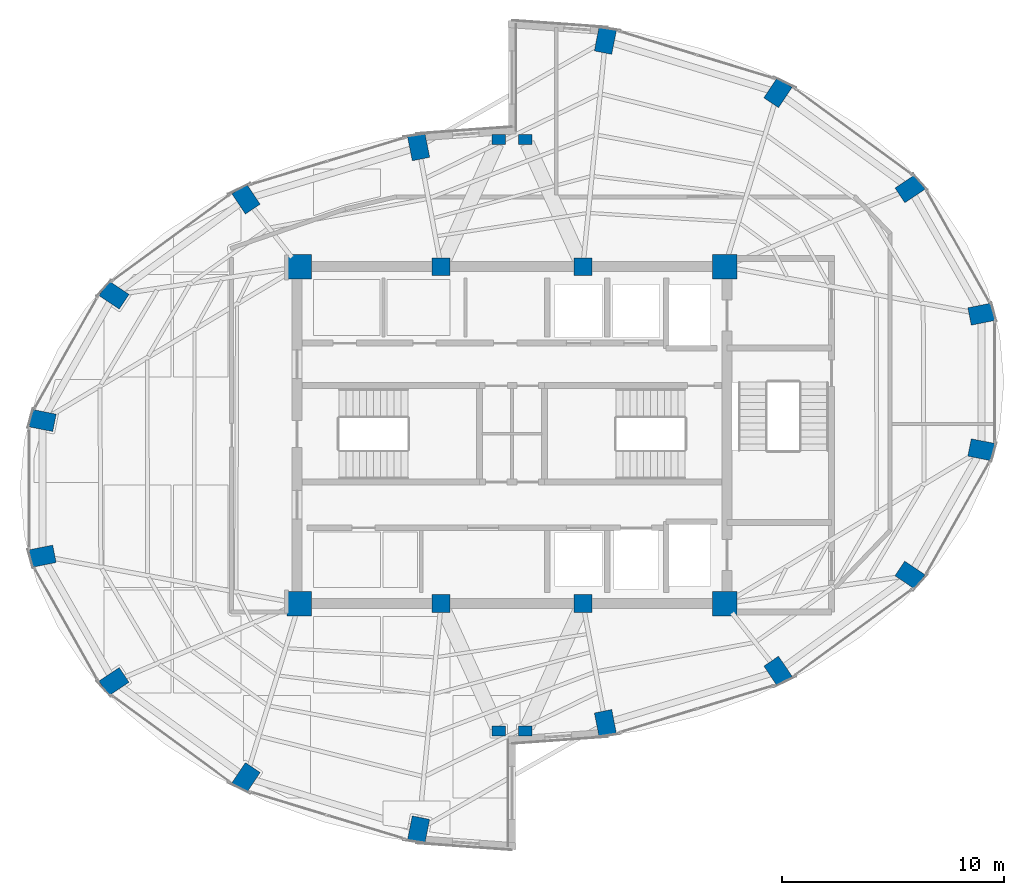
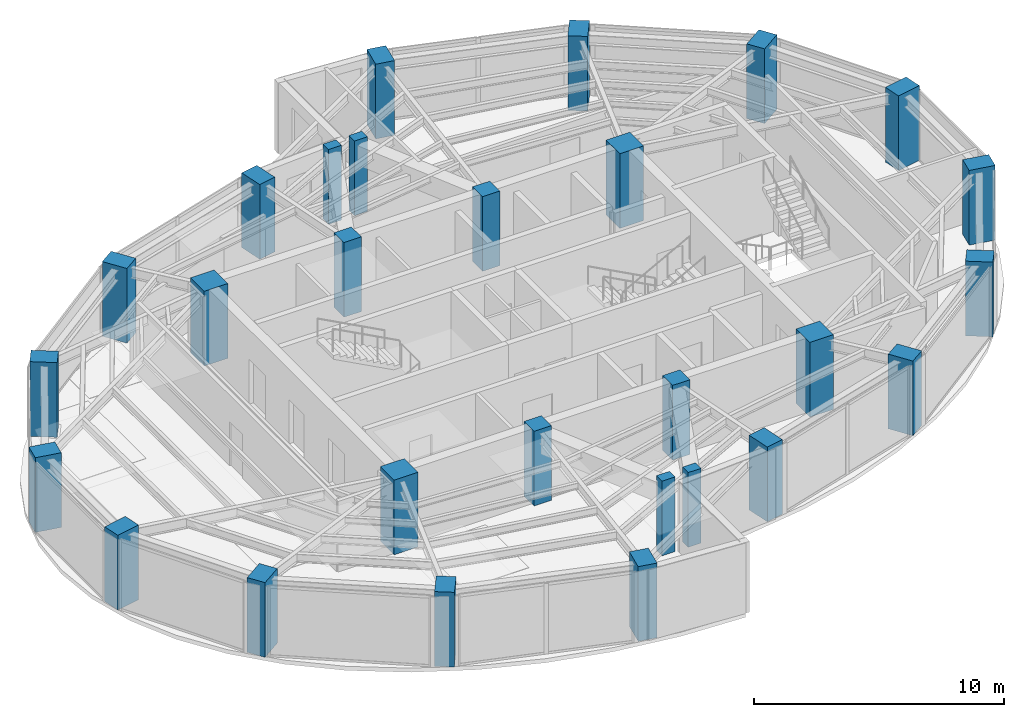
# One storey, part 1 of 22: 28 columns.
"""IFC4 building model written with IfcOpenShell, lengths in metres."""

from ifc_helpers import new_model, si_unit, direction, frame, origin, origin_2d, place, context, subcontext, project, spatial, rectangle, extrude, material, material_profile, profile_set, type_object, element, save


model = new_model("IFC4")

# Units and contexts
model_context = context("Model", 3, precision=1e-05, world=origin(), true_north=direction((0.0, 1.0)))
body_context = subcontext(model_context, "Body", "Model", "MODEL_VIEW")
ifc_project = project(units=[si_unit("LENGTHUNIT", "METRE"), si_unit("AREAUNIT", "SQUARE_METRE"), si_unit("VOLUMEUNIT", "CUBIC_METRE"), si_unit("PLANEANGLEUNIT", "RADIAN"), si_unit("MASSUNIT", "GRAM", prefix="KILO")], contexts=[model_context])

# Site, building, storey
site_placement = place(None, origin())
site = spatial("IfcSite", under=ifc_project, at=site_placement, CompositionType="ELEMENT")
building_placement = place(site_placement, origin())
building = spatial("IfcBuilding", under=site, at=building_placement, Name="Lazwardi Medical Tower", CompositionType="ELEMENT")
storey_placement = place(building_placement, frame((0.0, 0.0, 258.672119140625)))
storey = spatial("IfcBuildingStorey", under=building, at=storey_placement, Name="L67", CompositionType="ELEMENT", Elevation=258.672119140625)

# Columns
ifc_material_1 = material(Name="Concrete C80/95", Category="concrete")
ifc_material_profile_1 = material_profile(ifc_material_1, rectangle(XDim=1.10009765625, YDim=1.10009765625, at=origin_2d()), Name="RC 1100x1100")
ifc_profile_set_1 = profile_set([ifc_material_profile_1], Name="Concrete C80/95")
column_type_1 = type_object("IfcColumnType", Name="COL-CC-L", PredefinedType="COLUMN", material=ifc_profile_set_1)
for number, where, z_axis, x_axis, name in (
    (1, (26.39990234375, 20.39990234375, 0.0), (0.0, 0.0, 1.0), (1.0, 0.0, 0.0), "Core column CC-01 CC1 L67"),
    (2, (45.60009765625, 20.39990234375, 0.0), (0.0, 0.0, 1.0), (1.0, 0.0, 0.0), "Core column CC-01 CC4 L67"),
    (3, (45.60009765625, 35.60009765625, 0.0), (0.0, 0.0, 1.0), (1.0, 0.0, 0.0), "Core column CC-01 CC5 L67"),
    (4, (26.39990234375, 35.60009765625, 0.0), (0.0, 0.0, 1.0), (1.0, 0.0, 0.0), "Core column CC-01 CC8 L67"),
):
    element("IfcColumn", number, at=place(storey_placement, frame(where, z_axis=z_axis, x_axis=x_axis)), inside=storey, type_object=column_type_1, Name=name, PredefinedType="COLUMN", context=body_context, shape_type="SweptSolid", body=[
        extrude(rectangle(XDim=1.10009765625, YDim=1.10009765625, at=origin_2d()), origin(), (0.0, 0.0, 1.0), 3.64794921875),
    ])
ifc_material_2 = material(Name="Concrete C60/75", Category="concrete")
ifc_material_profile_2 = material_profile(ifc_material_2, rectangle(XDim=0.800048828125, YDim=0.800048828125, at=origin_2d()), Name="RC 800x800")
ifc_profile_set_2 = profile_set([ifc_material_profile_2], Name="Concrete C60/75")
column_type_2 = type_object("IfcColumnType", Name="COL-CC-U", PredefinedType="COLUMN", material=ifc_profile_set_2)
for number, where, z_axis, x_axis, name in (
    (5, (32.800048828125, 20.39990234375, 0.0), (0.0, 0.0, 1.0), (1.0, 0.0, 0.0), "Core column CC-03 CC2 L67"),
    (6, (39.199951171875, 20.39990234375, 0.0), (0.0, 0.0, 1.0), (1.0, 0.0, 0.0), "Core column CC-03 CC3 L67"),
    (7, (39.199951171875, 35.60009765625, 0.0), (0.0, 0.0, 1.0), (1.0, 0.0, 0.0), "Core column CC-03 CC6 L67"),
    (8, (32.800048828125, 35.60009765625, 0.0), (0.0, 0.0, 1.0), (1.0, 0.0, 0.0), "Core column CC-03 CC7 L67"),
):
    element("IfcColumn", number, at=place(storey_placement, frame(where, z_axis=z_axis, x_axis=x_axis)), inside=storey, type_object=column_type_2, Name=name, PredefinedType="COLUMN", context=body_context, shape_type="SweptSolid", body=[
        extrude(rectangle(XDim=0.800048828125, YDim=0.800048828125, at=origin_2d()), origin(), (0.0, 0.0, 1.0), 3.64794921875),
    ])
ifc_material_profile_3 = material_profile(ifc_material_2, rectangle(XDim=1.10009765625, YDim=0.800048828125, at=origin_2d()), Name="CFT-RECT 1100x800")
ifc_profile_set_3 = profile_set([ifc_material_profile_3], Name="Concrete C60/75")
column_type_3 = type_object("IfcColumnType", Name="COL-MC-Z4", PredefinedType="COLUMN", material=ifc_profile_set_3)
for number, where, z_axis, x_axis, name in (
    (9, (40.214111328125, 15.001708984375, 0.0), (0.0, 0.0, 1.0), (0.195090322016, -0.980785280403, 0.0), "Mega column MC-06 M01 L67"),
    (10, (48.000244140625, 17.345947265625, 0.0), (0.0, 0.0, 1.0), (0.55557023302, -0.831469612303, 0.0), "Mega column MC-06 M02 L67"),
    (11, (53.959716796875, 21.677490234375, 0.0), (0.0, 0.0, 1.0), (0.831469612303, -0.55557023302, 0.0), "Mega column MC-06 M03 L67"),
    (12, (57.18505859375, 27.337158203125, 0.0), (0.0, 0.0, 1.0), (0.980785280403, -0.195090322016, 0.0), "Mega column MC-06 M04 L67"),
    (13, (57.18505859375, 33.462890625, 0.0), (0.0, 0.0, 1.0), (0.980785280403, 0.195090322016, 0.0), "Mega column MC-06 M05 L67"),
    (14, (53.959716796875, 39.12255859375, 0.0), (0.0, 0.0, 1.0), (0.831469612303, 0.55557023302, 0.0), "Mega column MC-06 M06 L67"),
    (15, (48.000244140625, 43.4541015625, 0.0), (0.0, 0.0, 1.0), (0.55557023302, 0.831469612303, 0.0), "Mega column MC-06 M07 L67"),
    (16, (40.214111328125, 45.79833984375, 0.0), (0.0, 0.0, 1.0), (0.195090322016, 0.980785280403, 0.0), "Mega column MC-06 M08 L67"),
    (17, (31.785888671875, 40.998291015625, 0.0), (0.0, 0.0, 1.0), (-0.195090322016, 0.980785280403, 0.0), "Mega column MC-06 M09 L67"),
    (18, (23.999755859375, 38.654052734375, 0.0), (0.0, 0.0, 1.0), (-0.55557023302, 0.831469612303, 0.0), "Mega column MC-06 M10 L67"),
    (19, (18.040283203125, 34.322509765625, 0.0), (0.0, 0.0, 1.0), (-0.831469612303, 0.55557023302, 0.0), "Mega column MC-06 M11 L67"),
    (20, (14.81494140625, 28.662841796875, 0.0), (0.0, 0.0, 1.0), (-0.980785280403, 0.195090322016, 0.0), "Mega column MC-06 M12 L67"),
    (21, (14.81494140625, 22.537109375, 0.0), (0.0, 0.0, 1.0), (-0.980785280403, -0.195090322016, 0.0), "Mega column MC-06 M13 L67"),
    (22, (18.040283203125, 16.87744140625, 0.0), (0.0, 0.0, 1.0), (-0.831469612303, -0.55557023302, 0.0), "Mega column MC-06 M14 L67"),
    (23, (23.999755859375, 12.5458984375, 0.0), (0.0, 0.0, 1.0), (-0.55557023302, -0.831469612303, 0.0), "Mega column MC-06 M15 L67"),
    (24, (31.785888671875, 10.20166015625, 0.0), (0.0, 0.0, 1.0), (-0.195090322016, -0.980785280403, 0.0), "Mega column MC-06 M16 L67"),
):
    element("IfcColumn", number, at=place(storey_placement, frame(where, z_axis=z_axis, x_axis=x_axis)), inside=storey, type_object=column_type_3, Name=name, PredefinedType="COLUMN", context=body_context, shape_type="SweptSolid", body=[
        extrude(rectangle(XDim=1.10009765625, YDim=0.800048828125, at=origin_2d()), origin(), (0.0, 0.0, 1.0), 3.64794921875),
    ])
ifc_material_profile_4 = material_profile(ifc_material_2, rectangle(XDim=0.60009765625, YDim=0.449951171875, at=origin_2d()), Name="RC 600x450")
ifc_profile_set_4 = profile_set([ifc_material_profile_4], Name="Concrete C60/75")
column_type_4 = type_object("IfcColumnType", Name="COL-PL-IW", PredefinedType="PILASTER", material=ifc_profile_set_4)
for number, where, z_axis, x_axis, name in (
    (25, (35.39990234375, 41.35009765625, 0.0), (0.0, 0.0, 1.0), (1.0, 0.0, 0.0), "Iwan pilaster column PL-C1 PL1 L67"),
    (26, (36.60009765625, 41.35009765625, 0.0), (0.0, 0.0, 1.0), (1.0, 0.0, 0.0), "Iwan pilaster column PL-C1 PL2 L67"),
    (27, (35.39990234375, 14.64990234375, 0.0), (0.0, 0.0, 1.0), (1.0, 0.0, 0.0), "Iwan pilaster column PL-C1 PL3 L67"),
    (28, (36.60009765625, 14.64990234375, 0.0), (0.0, 0.0, 1.0), (1.0, 0.0, 0.0), "Iwan pilaster column PL-C1 PL4 L67"),
):
    element("IfcColumn", number, at=place(storey_placement, frame(where, z_axis=z_axis, x_axis=x_axis)), inside=storey, type_object=column_type_4, Name=name, PredefinedType="PILASTER", context=body_context, shape_type="SweptSolid", body=[
        extrude(rectangle(XDim=0.60009765625, YDim=0.449951171875, at=origin_2d()), origin(), (0.0, 0.0, 1.0), 3.64794921875),
    ])

save(model, "model.ifc")
